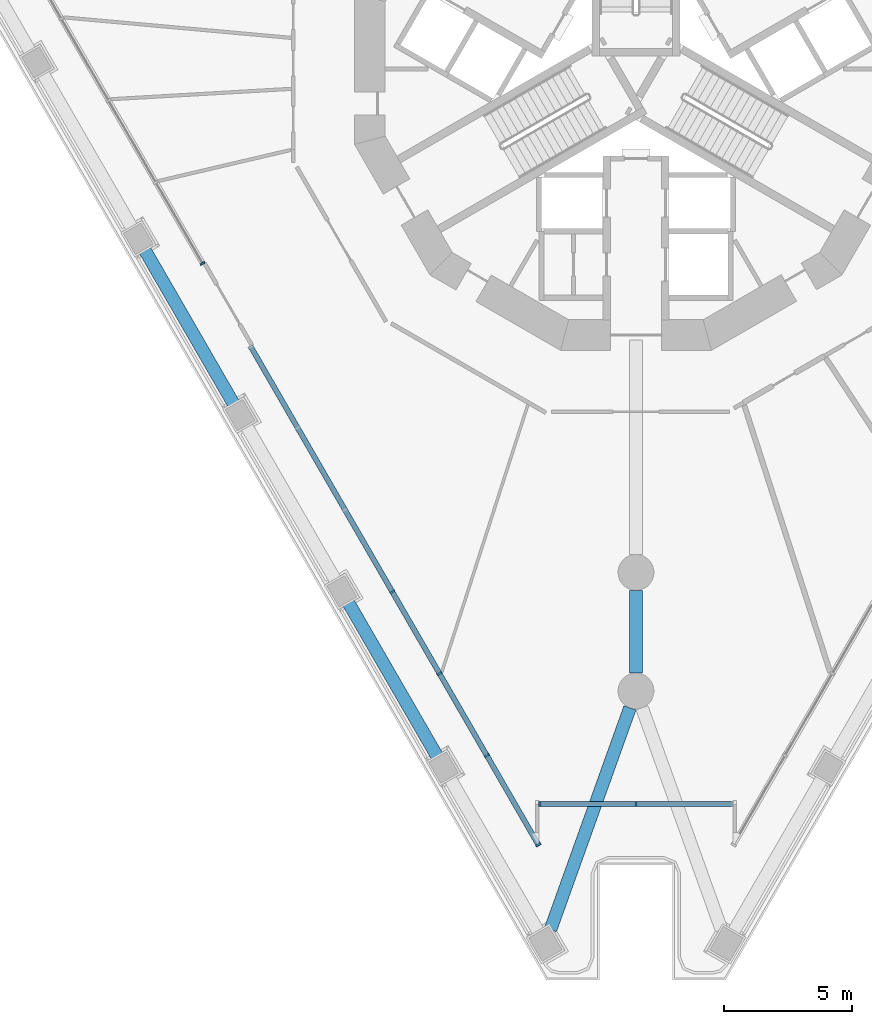
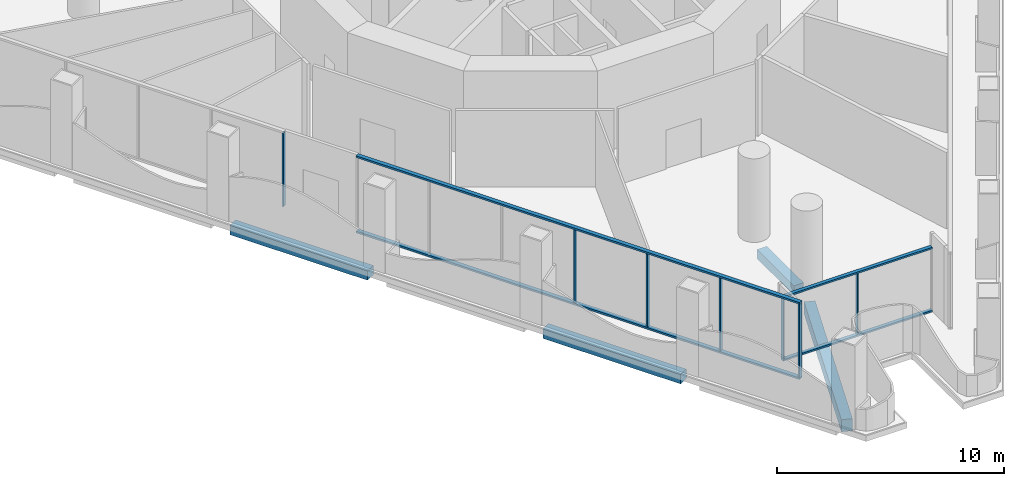
# One storey, part 2 of 23: 11 members, 4 beams, 3 elements without a shape of their own.
"""IFC4 building model written with IfcOpenShell, lengths in metres."""

from ifc_helpers import new_model, si_unit, direction, frame, origin, origin_2d, place, context, subcontext, project, spatial, rectangle, extrude, material, layer, layer_set, material_profile, profile_set, type_object, element, aggregate, save


model = new_model("IFC4")

# Units and contexts
model_context = context("Model", 3, precision=1e-05, world=origin(), true_north=direction((0.0, 1.0)))
body_context = subcontext(model_context, "Body", "Model", "MODEL_VIEW")
ifc_project = project(units=[si_unit("LENGTHUNIT", "METRE"), si_unit("AREAUNIT", "SQUARE_METRE"), si_unit("VOLUMEUNIT", "CUBIC_METRE"), si_unit("PLANEANGLEUNIT", "RADIAN"), si_unit("MASSUNIT", "GRAM", prefix="KILO")], contexts=[model_context])

# Site, building, storey
site_placement = place(None, origin())
site = spatial("IfcSite", under=ifc_project, at=site_placement, CompositionType="ELEMENT")
building_placement = place(site_placement, origin())
building = spatial("IfcBuilding", under=site, at=building_placement, Name="Trine Commons Tower", CompositionType="ELEMENT")
storey_placement = place(building_placement, frame((0.0, 0.0, 18.0)))
storey = spatial("IfcBuildingStorey", under=building, at=storey_placement, Name="L03", CompositionType="ELEMENT", Elevation=18.0)

# Curtain wall, members
ifc_material_1 = material(Name="Corner pocket glazing: anodised aluminium frame with low-emissivity double glazed unit, laminated", Category="aluminium")
ifc_layer_1 = layer(ifc_material_1, 0.179931640625)
ifc_layer_set_1 = layer_set([ifc_layer_1], Name="Corner pocket glazing: anodised aluminium frame with low-emissivity double glazed unit, laminated")
curtain_wall_type_1 = type_object("IfcCurtainWallType", Name="Corner pocket glazing curtain wall CW8", PredefinedType="NOTDEFINED", material=ifc_layer_set_1)
curtain_wall_1_placement = place(storey_placement, origin())
curtain_wall_1 = element("IfcCurtainWall", 1, at=curtain_wall_1_placement, inside=storey, type_object=curtain_wall_type_1, Name="Corner pocket glazing L03 P3.1", PredefinedType="NOTDEFINED")
ifc_material_2 = material(Name="Anodised aluminium, bronze finish", Category="aluminium")
ifc_material_profile_1 = material_profile(ifc_material_2, rectangle(XDim=0.179931640625, YDim=0.06494140625, at=origin_2d()), Name="Mullion 65x180")
ifc_profile_set_1 = profile_set([ifc_material_profile_1], Name="Anodised aluminium, bronze finish")
member_type_1 = type_object("IfcMemberType", Name="Mullion 65x180, Anodised aluminium, bronze finish", PredefinedType="MULLION", material=ifc_profile_set_1)
member_1_placement = place(storey_placement, frame((80.0, 33.74072265625, 0.090087890625), z_axis=(0.0, 0.0, 1.0), x_axis=(0.0, -1.0, 0.0)))
member_1 = element("IfcMember", 2, at=member_1_placement, type_object=member_type_1, Name="CW8 mullion 2.1", PredefinedType="MULLION", context=body_context, shape_type="SweptSolid", body=[
    extrude(rectangle(XDim=0.179931640625, YDim=0.06494140625, at=origin_2d()), origin(), (0.0, 0.0, 1.0), 3.2998046875),
])
member_2_placement = place(storey_placement, frame((76.232421875, 33.74072265625, 0.090087890625), z_axis=(0.0, 0.0, 1.0), x_axis=(0.0, -1.0, 0.0)))
member_2 = element("IfcMember", 3, at=member_2_placement, type_object=member_type_1, Name="CW8 mullion 3.1", PredefinedType="MULLION", context=body_context, shape_type="SweptSolid", body=[
    extrude(rectangle(XDim=0.179931640625, YDim=0.06494140625, at=origin_2d()), origin(), (0.0, 0.0, 1.0), 3.2998046875),
])

ifc_material_3 = material(Name="Podium glazing: anodised aluminium frame with low-emissivity double glazed unit", Category="aluminium")
ifc_layer_2 = layer(ifc_material_3, 0.199951171875)
ifc_layer_set_2 = layer_set([ifc_layer_2], Name="Podium glazing: anodised aluminium frame with low-emissivity double glazed unit")
curtain_wall_type_2 = type_object("IfcCurtainWallType", Name="Podium glazing curtain wall CW3", PredefinedType="NOTDEFINED", material=ifc_layer_set_2)
curtain_wall_2_placement = place(storey_placement, origin())
curtain_wall_2 = element("IfcCurtainWall", 4, at=curtain_wall_2_placement, inside=storey, type_object=curtain_wall_type_2, Name="Podium glazing L03 F3.1", PredefinedType="NOTDEFINED")
ifc_material_profile_2 = material_profile(ifc_material_2, rectangle(XDim=0.199951171875, YDim=0.074951171875, at=origin_2d()), Name="Mullion 75x200")
ifc_profile_set_2 = profile_set([ifc_material_profile_2], Name="Anodised aluminium, bronze finish")
member_type_2 = type_object("IfcMemberType", Name="Mullion 75x200, Anodised aluminium, bronze finish", PredefinedType="MULLION", material=ifc_profile_set_2)
member_3_placement = place(storey_placement, frame((76.18115234375, 32.14501953125, 0.10009765625), z_axis=(0.0, 0.0, 1.0), x_axis=(-0.866025403784, -0.5, 0.0)))
member_3 = element("IfcMember", 5, at=member_3_placement, type_object=member_type_2, Name="CW3 mullion 1.1", PredefinedType="MULLION", context=body_context, shape_type="SweptSolid", body=[
    extrude(rectangle(XDim=0.199951171875, YDim=0.074951171875, at=origin_2d()), origin(), (0.0, 0.0, 1.0), 3.949951171875),
])
member_4_placement = place(storey_placement, frame((74.163818359375, 35.63916015625, 0.10009765625), z_axis=(0.0, 0.0, 1.0), x_axis=(-0.866025403784, -0.5, 0.0)))
member_4 = element("IfcMember", 6, at=member_4_placement, type_object=member_type_2, Name="CW3 mullion 2.1", PredefinedType="MULLION", context=body_context, shape_type="SweptSolid", body=[
    extrude(rectangle(XDim=0.199951171875, YDim=0.074951171875, at=origin_2d()), origin(), (0.0, 0.0, 1.0), 3.949951171875),
])
member_5_placement = place(storey_placement, frame((72.314453125, 38.842529296875, 0.10009765625), z_axis=(0.0, 0.0, 1.0), x_axis=(-0.866025403784, -0.5, 0.0)))
member_5 = element("IfcMember", 7, at=member_5_placement, type_object=member_type_2, Name="CW3 mullion 3.1", PredefinedType="MULLION", context=body_context, shape_type="SweptSolid", body=[
    extrude(rectangle(XDim=0.199951171875, YDim=0.074951171875, at=origin_2d()), origin(), (0.0, 0.0, 1.0), 3.949951171875),
])
member_6_placement = place(storey_placement, frame((70.465087890625, 42.0458984375, 0.10009765625), z_axis=(0.0, 0.0, 1.0), x_axis=(-0.866025403784, -0.5, 0.0)))
member_6 = element("IfcMember", 8, at=member_6_placement, type_object=member_type_2, Name="CW3 mullion 4.1", PredefinedType="MULLION", context=body_context, shape_type="SweptSolid", body=[
    extrude(rectangle(XDim=0.199951171875, YDim=0.074951171875, at=origin_2d()), origin(), (0.0, 0.0, 1.0), 3.949951171875),
])

# Curtain wall, member
curtain_wall_3_placement = place(storey_placement, origin())
curtain_wall_3 = element("IfcCurtainWall", 9, at=curtain_wall_3_placement, inside=storey, type_object=curtain_wall_type_2, Name="Podium glazing L03 F3.2", PredefinedType="NOTDEFINED")
member_7_placement = place(storey_placement, frame((63.048583984375, 54.8916015625, 0.10009765625), z_axis=(0.0, 0.0, 1.0), x_axis=(-0.866025403784, -0.5, 0.0)))
member_7 = element("IfcMember", 10, at=member_7_placement, type_object=member_type_2, Name="CW3 mullion 1.1", PredefinedType="MULLION", context=body_context, shape_type="SweptSolid", body=[
    extrude(rectangle(XDim=0.199951171875, YDim=0.074951171875, at=origin_2d()), origin(), (0.0, 0.0, 1.0), 3.949951171875),
])
aggregate(curtain_wall_3, [member_7])

# Beams
ifc_material_4 = material(Name="Concrete C50/60", Category="concrete")
ifc_material_profile_3 = material_profile(ifc_material_4, rectangle(XDim=0.5, YDim=0.5, at=origin_2d()), Name="RC 500x500")
ifc_profile_set_3 = profile_set([ifc_material_profile_3], Name="Concrete C50/60")
beam_type_1 = type_object("IfcBeamType", Name="RC beam 500x500, C50/60", PredefinedType="BEAM", material=ifc_profile_set_3)
beam_1_placement = place(storey_placement, frame((72.236328125, 35.577880859375, -0.60009765625), z_axis=(-0.500017753321, 0.866015153657, 0.0), x_axis=(-0.866015153657, -0.500017753321, 0.0)))
element("IfcBeam", 11, at=beam_1_placement, inside=storey, type_object=beam_type_1, Name="Beam EB1-02 L03", PredefinedType="BEAM", context=body_context, shape_type="SweptSolid", body=[
    extrude(rectangle(XDim=0.5, YDim=0.5, at=origin_2d()), origin(), (0.0, 0.0, 1.0), 7.013427734375),
])
beam_2_placement = place(storey_placement, frame((64.27294921875, 49.370849609375, -0.60009765625), z_axis=(-0.499991645397, 0.866030227263, 0.0), x_axis=(-0.866030227263, -0.499991645397, 0.0)))
element("IfcBeam", 12, at=beam_2_placement, inside=storey, type_object=beam_type_1, Name="Beam EB1-04 L03", PredefinedType="BEAM", context=body_context, shape_type="SweptSolid", body=[
    extrude(rectangle(XDim=0.5, YDim=0.5, at=origin_2d()), origin(), (0.0, 0.0, 1.0), 7.01318359375),
])
beam_3_placement = place(storey_placement, frame((80.0, 42.102783203125, -0.60009765625), z_axis=(0.0, -1.0, 0.0), x_axis=(1.0, 0.0, 0.0)))
element("IfcBeam", 13, at=beam_3_placement, inside=storey, type_object=beam_type_1, Name="Beam RB1-02 L03", PredefinedType="BEAM", context=body_context, shape_type="SweptSolid", body=[
    extrude(rectangle(XDim=0.5, YDim=0.5, at=origin_2d()), origin(), (0.0, 0.0, 1.0), 3.240478515625),
])
ifc_material_profile_4 = material_profile(ifc_material_4, rectangle(XDim=0.5, YDim=0.64990234375, at=origin_2d()), Name="RC 500x650")
ifc_profile_set_4 = profile_set([ifc_material_profile_4], Name="Concrete C50/60")
beam_type_2 = type_object("IfcBeamType", Name="RC beam 500x650, C50/60", PredefinedType="BEAM", material=ifc_profile_set_4)
beam_4_placement = place(storey_placement, frame((76.654541015625, 28.8251953125, -0.675048828125), z_axis=(0.337305880684, 0.941395104542, 0.0), x_axis=(-0.941395104542, 0.337305880684, 0.0)))
element("IfcBeam", 14, at=beam_4_placement, inside=storey, type_object=beam_type_2, Name="Beam CB1-06 L03", PredefinedType="BEAM", context=body_context, shape_type="SweptSolid", body=[
    extrude(rectangle(XDim=0.5, YDim=0.64990234375, at=origin_2d()), origin(), (0.0, 0.0, 1.0), 9.218994140625),
])

# Member
ifc_material_profile_5 = material_profile(ifc_material_2, rectangle(XDim=0.199951171875, YDim=0.10009765625, at=origin_2d()), Name="Transom 100x200")
ifc_profile_set_5 = profile_set([ifc_material_profile_5], Name="Anodised aluminium, bronze finish")
member_type_3 = type_object("IfcMemberType", Name="Transom 100x200, Anodised aluminium, bronze finish", PredefinedType="USERDEFINED", material=ifc_profile_set_5)
member_8_placement = place(storey_placement, frame((76.199951171875, 32.112548828125, 0.050048828125), z_axis=(-0.499997470867, 0.866026863975, 0.0), x_axis=(-0.866026863975, -0.499997470867, 0.0)))
member_8 = element("IfcMember", 15, at=member_8_placement, type_object=member_type_3, Name="CW3 transom T00", ObjectType="TRANSOM", PredefinedType="USERDEFINED", context=body_context, shape_type="SweptSolid", body=[
    extrude(rectangle(XDim=0.199951171875, YDim=0.10009765625, at=origin_2d()), origin(), (0.0, 0.0, 1.0), 22.56640625),
])

member_9_placement = place(storey_placement, frame((76.199951171875, 32.112548828125, 4.10009765625), z_axis=(-0.499997470867, 0.866026863975, 0.0), x_axis=(-0.866026863975, -0.499997470867, 0.0)))
member_9 = element("IfcMember", 16, at=member_9_placement, type_object=member_type_3, Name="CW3 transom TH00", ObjectType="TRANSOM", PredefinedType="USERDEFINED", context=body_context, shape_type="SweptSolid", body=[
    extrude(rectangle(XDim=0.199951171875, YDim=0.10009765625, at=origin_2d()), origin(), (0.0, 0.0, 1.0), 22.56640625),
])

aggregate(curtain_wall_2, [member_8, member_9, member_3, member_4, member_5, member_6])

ifc_material_profile_6 = material_profile(ifc_material_2, rectangle(XDim=0.179931640625, YDim=0.090087890625, at=origin_2d()), Name="Transom 90x180")
ifc_profile_set_6 = profile_set([ifc_material_profile_6], Name="Anodised aluminium, bronze finish")
member_type_4 = type_object("IfcMemberType", Name="Transom 90x180, Anodised aluminium, bronze finish", PredefinedType="USERDEFINED", material=ifc_profile_set_6)
member_10_placement = place(storey_placement, frame((83.800048828125, 33.74072265625, 0.044921875), z_axis=(-1.0, 0.0, 0.0), x_axis=(0.0, -1.0, 0.0)))
member_10 = element("IfcMember", 17, at=member_10_placement, type_object=member_type_4, Name="CW8 transom T00", ObjectType="TRANSOM", PredefinedType="USERDEFINED", context=body_context, shape_type="SweptSolid", body=[
    extrude(rectangle(XDim=0.179931640625, YDim=0.090087890625, at=origin_2d()), origin(), (0.0, 0.0, 1.0), 7.60009765625),
])

member_11_placement = place(storey_placement, frame((83.800048828125, 33.74072265625, 3.43505859375), z_axis=(-1.0, 0.0, 0.0), x_axis=(0.0, -1.0, 0.0)))
member_11 = element("IfcMember", 18, at=member_11_placement, type_object=member_type_4, Name="CW8 transom TH00", ObjectType="TRANSOM", PredefinedType="USERDEFINED", context=body_context, shape_type="SweptSolid", body=[
    extrude(rectangle(XDim=0.179931640625, YDim=0.090087890625, at=origin_2d()), origin(), (0.0, 0.0, 1.0), 7.60009765625),
])

aggregate(curtain_wall_1, [member_10, member_11, member_1, member_2])

save(model, "model.ifc")
